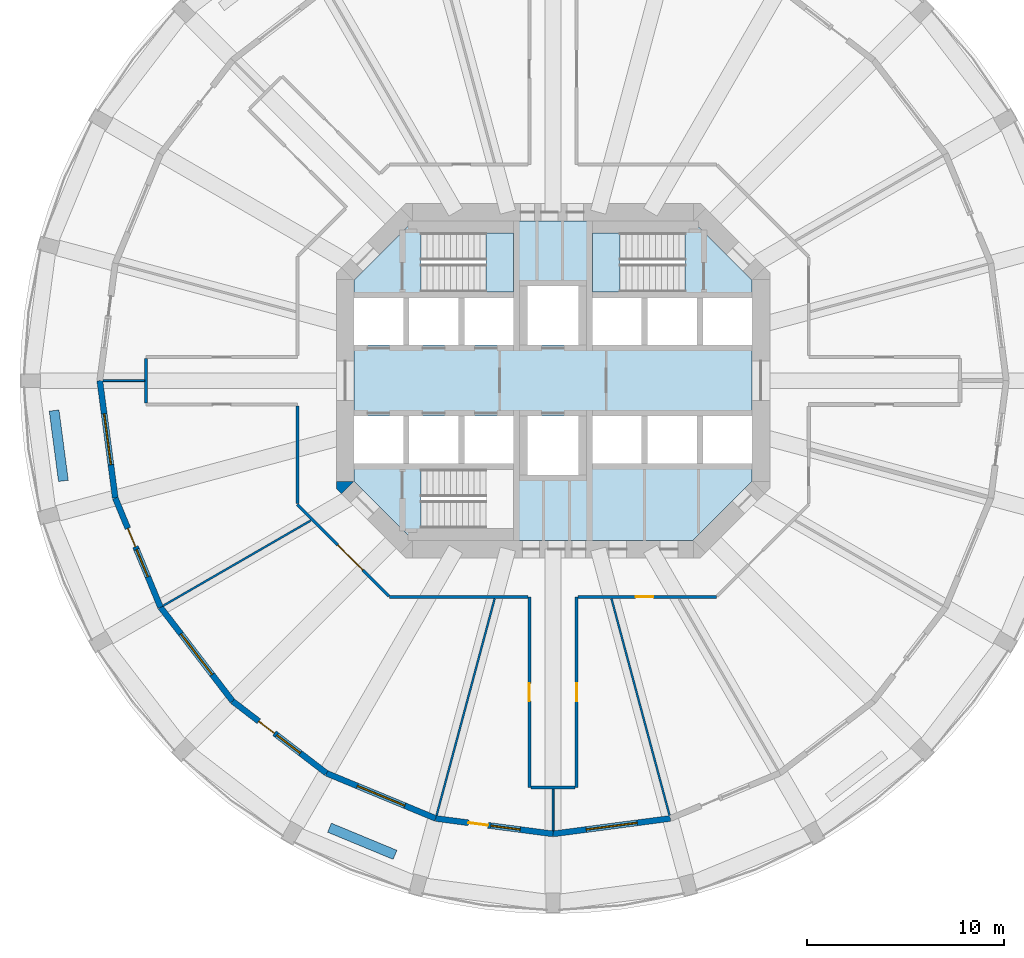
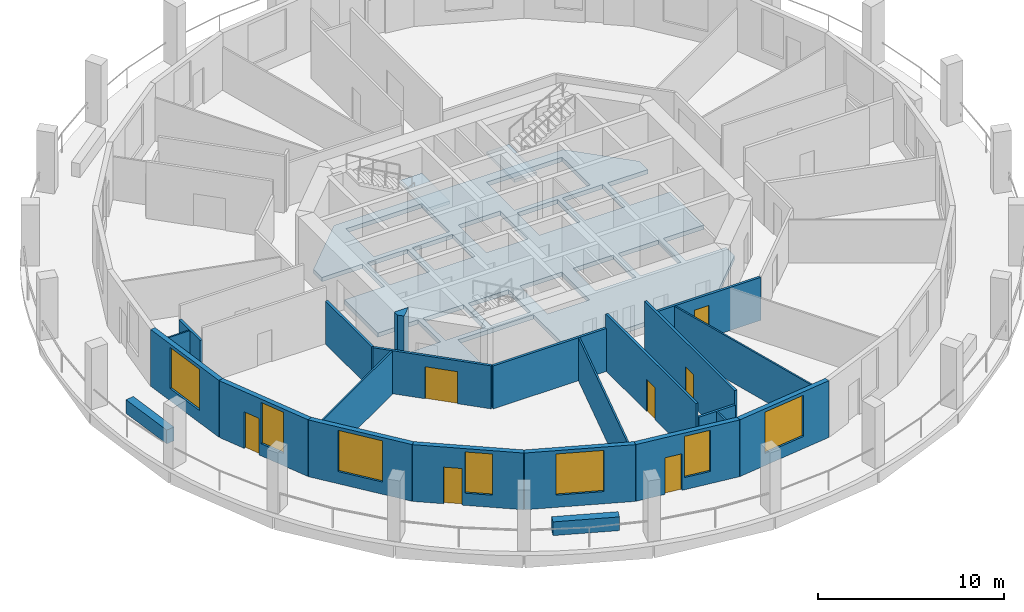
# One storey, part 2 of 9: 23 walls, 7 doors, 7 windows, 3 slabs, 14 openings, 2 elements without a shape of their own.
"""IFC4 building model written with IfcOpenShell, lengths in metres."""

from ifc_helpers import new_model, si_unit, direction, frame, frame_2d, origin, place, context, subcontext, project, spatial, polyline, rectangle, outline, extrude, material, layer, layer_set, type_object, element, fill, aggregate, save


model = new_model("IFC4")

# Units and contexts
model_context = context("Model", 3, precision=1e-05, world=origin(), true_north=direction((0.0, 1.0)))
body_context = subcontext(model_context, "Body", "Model", "MODEL_VIEW")
ifc_project = project(units=[si_unit("LENGTHUNIT", "METRE"), si_unit("AREAUNIT", "SQUARE_METRE"), si_unit("VOLUMEUNIT", "CUBIC_METRE"), si_unit("PLANEANGLEUNIT", "RADIAN"), si_unit("MASSUNIT", "GRAM", prefix="KILO")], contexts=[model_context])

# Site, building, storey
site_placement = place(None, origin())
site = spatial("IfcSite", under=ifc_project, at=site_placement, CompositionType="ELEMENT")
building_placement = place(site_placement, origin())
building = spatial("IfcBuilding", under=site, at=building_placement, Name="Torre Triforio", CompositionType="ELEMENT")
storey_placement = place(building_placement, frame((0.0, 0.0, 71.0)))
storey = spatial("IfcBuildingStorey", under=building, at=storey_placement, Name="L15", CompositionType="ELEMENT", Elevation=71.0)

# Slab
ifc_material_1 = material(Name="Concrete C60", Category="concrete")
ifc_layer_1 = layer(ifc_material_1, 0.280029296875)
ifc_layer_set_1 = layer_set([ifc_layer_1], Name="Concrete C60")
slab_type_1 = type_object("IfcSlabType", Name="Core floor slab 280 mm C60 REI 120", PredefinedType="FLOOR", material=ifc_layer_set_1)
slab_1_placement = place(storey_placement, frame((0.0, 0.0, -0.280029296875)))
element("IfcSlab", 1, at=slab_1_placement, inside=storey, type_object=slab_type_1, Name="Core floor slab", PredefinedType="FLOOR", context=body_context, shape_type="SweptSolid", body=[
    extrude(outline(polyline([(10.10009765625, -5.10009765625), (7.10009765625, -8.10009765625), (-7.10009765625, -8.10009765625), (-10.10009765625, -5.10009765625), (-10.10009765625, -4.199951171875), (-7.60009765625, -4.199951171875), (-7.60009765625, -1.800048828125), (-10.10009765625, -1.800048828125), (-10.10009765625, 1.800048828125), (-7.60009765625, 1.800048828125), (-7.60009765625, 4.199951171875), (-10.10009765625, 4.199951171875), (-10.10009765625, 5.10009765625), (-7.10009765625, 8.10009765625), (7.10009765625, 8.10009765625), (10.10009765625, 5.10009765625), (10.10009765625, 4.199951171875), (7.60009765625, 4.199951171875), (7.60009765625, 1.800048828125), (10.10009765625, 1.800048828125), (10.10009765625, -1.800048828125), (7.60009765625, -1.800048828125), (7.60009765625, -4.199951171875), (10.10009765625, -4.199951171875), (10.10009765625, -5.10009765625)]), holes=[polyline([(-2.0, -4.5), (-6.696044921875, -4.5), (-6.696044921875, -7.5), (-2.0, -7.5), (-2.0, -4.5)]), polyline([(-4.800048828125, -1.800048828125), (-7.300048828125, -1.800048828125), (-7.300048828125, -4.199951171875), (-4.800048828125, -4.199951171875), (-4.800048828125, -1.800048828125)]), polyline([(-2.0, -1.800048828125), (-4.5, -1.800048828125), (-4.5, -4.199951171875), (-2.0, -4.199951171875), (-2.0, -1.800048828125)]), polyline([(-4.800048828125, 4.199951171875), (-7.300048828125, 4.199951171875), (-7.300048828125, 1.800048828125), (-4.800048828125, 1.800048828125), (-4.800048828125, 4.199951171875)]), polyline([(-2.0, 4.199951171875), (-4.5, 4.199951171875), (-4.5, 1.800048828125), (-2.0, 1.800048828125), (-2.0, 4.199951171875)]), polyline([(1.300048828125, 4.800048828125), (-1.300048828125, 4.800048828125), (-1.300048828125, 1.800048828125), (1.300048828125, 1.800048828125), (1.300048828125, 4.800048828125)]), polyline([(-2.0, 7.5), (-6.696044921875, 7.5), (-6.696044921875, 4.5), (-2.0, 4.5), (-2.0, 7.5)]), polyline([(1.300048828125, -1.800048828125), (-1.300048828125, -1.800048828125), (-1.300048828125, -4.800048828125), (1.300048828125, -4.800048828125), (1.300048828125, -1.800048828125)]), polyline([(4.5, -1.800048828125), (2.0, -1.800048828125), (2.0, -4.199951171875), (4.5, -4.199951171875), (4.5, -1.800048828125)]), polyline([(7.300048828125, -1.800048828125), (4.800048828125, -1.800048828125), (4.800048828125, -4.199951171875), (7.300048828125, -4.199951171875), (7.300048828125, -1.800048828125)]), polyline([(4.5, 4.199951171875), (2.0, 4.199951171875), (2.0, 1.800048828125), (4.5, 1.800048828125), (4.5, 4.199951171875)]), polyline([(7.300048828125, 4.199951171875), (4.800048828125, 4.199951171875), (4.800048828125, 1.800048828125), (7.300048828125, 1.800048828125), (7.300048828125, 4.199951171875)]), polyline([(6.696044921875, 4.5), (6.696044921875, 7.5), (2.0, 7.5), (2.0, 4.5), (6.696044921875, 4.5)])]), origin(), (0.0, 0.0, 1.0), 0.280029296875),
])

# Stair, slab
ifc_material_2 = material(Name="Concrete C40", Category="concrete")
stair_type = type_object("IfcStairType", Name="STAIR HALF-TURN", PredefinedType="HALF_TURN_STAIR", material=ifc_material_2)
stair_1_placement = place(storey_placement, origin())
stair_1 = element("IfcStair", 2, at=stair_1_placement, inside=storey, type_object=stair_type, Name="Exit stair 1", PredefinedType="HALF_TURN_STAIR")
ifc_layer_2 = layer(ifc_material_2, 0.199951171875)
ifc_layer_set_2 = layer_set([ifc_layer_2], Name="Concrete C40")
slab_type_2 = type_object("IfcSlabType", Name="STAIR LANDING 200", PredefinedType="LANDING", material=ifc_layer_set_2)
slab_2_placement = place(storey_placement, frame((0.0, 0.0, 1.800048828125)))
slab_2 = element("IfcSlab", 3, at=slab_2_placement, type_object=slab_type_2, Name="ST1 landing 1", PredefinedType="LANDING", context=body_context, shape_type="SweptSolid", body=[
    extrude(outline(polyline([(-2.0, 4.5), (-2.0, 7.5), (-3.39990234375, 7.5), (-3.39990234375, 4.5), (-2.0, 4.5)])), origin(), (0.0, 0.0, 1.0), 0.199951171875),
])
aggregate(stair_1, [slab_2])

stair_2_placement = place(storey_placement, origin())
stair_2 = element("IfcStair", 4, at=stair_2_placement, inside=storey, type_object=stair_type, Name="Exit stair 2", PredefinedType="HALF_TURN_STAIR")
slab_3_placement = place(storey_placement, frame((0.0, 0.0, 1.800048828125)))
slab_3 = element("IfcSlab", 5, at=slab_3_placement, type_object=slab_type_2, Name="ST2 landing 1", PredefinedType="LANDING", context=body_context, shape_type="SweptSolid", body=[
    extrude(outline(polyline([(3.39990234375, 4.5), (3.39990234375, 7.5), (2.0, 7.5), (2.0, 4.5), (3.39990234375, 4.5)])), origin(), (0.0, 0.0, 1.0), 0.199951171875),
])
aggregate(stair_2, [slab_3])

# Wall
ifc_layer_3 = layer(ifc_material_1, 0.89990234375)
ifc_layer_set_3 = layer_set([ifc_layer_3], Name="Concrete C60")
wall_type_1 = type_object("IfcWallType", Name="Core wall 900 mm C60 EI 120", PredefinedType="SHEAR", material=ifc_layer_set_3)
wall_1_placement = place(storey_placement, frame((0.0, 0.0, -0.280029296875)))
element("IfcWall", 6, at=wall_1_placement, inside=storey, type_object=wall_type_1, Name="Core wall", PredefinedType="SHEAR", context=body_context, shape_type="SweptSolid", body=[
    extrude(outline(polyline([(-11.0, -5.472900390625), (-11.0, -5.1298828125), (-10.1298828125, -5.1298828125), (-10.736328125, -5.736328125), (-11.0, -5.472900390625)])), origin(), (0.0, 0.0, 1.0), 4.0),
])

# Wall, opening, door
ifc_material_3 = material(Name="Plasterboard on metal studs")
ifc_layer_4 = layer(ifc_material_3, 0.14990234375)
ifc_layer_set_4 = layer_set([ifc_layer_4], Name="Plasterboard on metal studs")
wall_type_2 = type_object("IfcWallType", Name="Corridor and tenancy wall 150 mm EI 60", PredefinedType="PARTITIONING", material=ifc_layer_set_4)
wall_2_placement = place(storey_placement, frame((-8.327880859375, -10.93798828125, 0.0), z_axis=(0.0, 0.0, 1.0), x_axis=(-0.707125355289, 0.707088206597, 0.0)))
wall_2 = element("IfcWall", 7, at=wall_2_placement, inside=storey, type_object=wall_type_2, Name="Partition 1", PredefinedType="PARTITIONING", context=body_context, shape_type="SweptSolid", body=[
    extrude(rectangle(XDim=6.572021484375, YDim=0.14990234375, at=frame_2d((3.2861328125, 0.0))), origin(), (0.0, 0.0, 1.0), 2.820068359375),
])
opening_1_placement = place(wall_2_placement, frame((1.873779296875, 0.0, 0.0)))
opening_1 = element("IfcOpeningElement", 8, at=opening_1_placement, cuts=wall_2, Name="Opening N5-08", PredefinedType="OPENING", context=body_context, shape_type="SweptSolid", body=[
    extrude(rectangle(XDim=1.800048828125, YDim=2.10009765625, at=frame_2d((0.89990234375, 1.050048828125))), frame((0.0, 0.0849609375, 0.0), z_axis=(0.0, -1.0, 0.0), x_axis=(1.0, 0.0, 0.0)), (0.0, 0.0, 1.0), 0.169921875),
])
ifc_material_4 = material(Name="Timber", Category="wood")
door_type_1 = type_object("IfcDoorType", Name="Door 1800 x 2100 double leaf EI 30", OperationType="DOUBLE_DOOR_SINGLE_SWING", PredefinedType="DOOR", material=ifc_material_4)
door_1_placement = place(opening_1_placement, origin())
door_1 = element("IfcDoor", 9, at=door_1_placement, inside=storey, type_object=door_type_1, Name="Door N5-08", OperationType="DOUBLE_DOOR_SINGLE_SWING", OverallHeight=2.10009765625, OverallWidth=1.800048828125, PredefinedType="DOOR", context=body_context, shape_type="SweptSolid", body=[
    extrude(rectangle(XDim=1.800048828125, YDim=2.10009765625, at=frame_2d((0.89990234375, 1.050048828125))), frame((0.0, 0.02490234375, 0.0), z_axis=(0.0, -1.0, 0.0), x_axis=(1.0, 0.0, 0.0)), (0.0, 0.0, 1.0), 0.050048828125),
])
fill(opening_1, door_1)

# Walls
wall_3_placement = place(storey_placement, frame((-12.97509765625, -6.23828125, 0.0), z_axis=(0.0, 0.0, 1.0), x_axis=(0.0, 1.0, 0.0)))
element("IfcWall", 10, at=wall_3_placement, inside=storey, type_object=wall_type_2, Name="Partition 2", PredefinedType="PARTITIONING", context=body_context, shape_type="SweptSolid", body=[
    extrude(rectangle(XDim=4.96337890625, YDim=0.14990234375, at=frame_2d((2.481689453125, 0.0))), origin(), (0.0, 0.0, 1.0), 2.820068359375),
])
wall_4_placement = place(storey_placement, frame((-20.648681640625, -1.125, 0.0), z_axis=(0.0, 0.0, 1.0), x_axis=(0.0, 1.0, 0.0)))
element("IfcWall", 11, at=wall_4_placement, inside=storey, type_object=wall_type_2, Name="Partition 4", PredefinedType="PARTITIONING", context=body_context, shape_type="SweptSolid", body=[
    extrude(rectangle(XDim=2.25, YDim=0.14990234375, at=frame_2d((1.125, 0.0))), origin(), (0.0, 0.0, 1.0), 2.820068359375),
])

# Wall, opening, door
wall_5_placement = place(storey_placement, frame((8.291015625, -10.97509765625, 0.0), z_axis=(0.0, 0.0, 1.0), x_axis=(-1.0, 0.0, 0.0)))
wall_5 = element("IfcWall", 12, at=wall_5_placement, inside=storey, type_object=wall_type_2, Name="Partition 26", PredefinedType="PARTITIONING", context=body_context, shape_type="SweptSolid", body=[
    extrude(rectangle(XDim=7.01611328125, YDim=0.14990234375, at=frame_2d((3.508056640625, 0.0))), origin(), (0.0, 0.0, 1.0), 2.820068359375),
])
opening_2_placement = place(wall_5_placement, frame((3.198486328125, 0.0, 0.0)))
opening_2 = element("IfcOpeningElement", 13, at=opening_2_placement, cuts=wall_5, Name="Opening N5-11", PredefinedType="OPENING", context=body_context, shape_type="SweptSolid", body=[
    extrude(rectangle(XDim=0.89990234375, YDim=2.10009765625, at=frame_2d((0.449951171875, 1.050048828125))), frame((0.0, 0.0849609375, 0.0), z_axis=(0.0, -1.0, 0.0), x_axis=(1.0, 0.0, 0.0)), (0.0, 0.0, 1.0), 0.169921875),
])
door_type_2 = type_object("IfcDoorType", Name="Door 900 x 2100 single leaf EI 30", OperationType="NOTDEFINED", PredefinedType="DOOR", material=ifc_material_4)
door_2_placement = place(opening_2_placement, origin())
door_2 = element("IfcDoor", 14, at=door_2_placement, inside=storey, type_object=door_type_2, Name="Door N5-11", OperationType="SINGLE_SWING_LEFT", OverallHeight=2.10009765625, OverallWidth=0.89990234375, PredefinedType="DOOR", context=body_context, shape_type="SweptSolid", body=[
    extrude(rectangle(XDim=0.89990234375, YDim=2.10009765625, at=frame_2d((0.449951171875, 1.050048828125))), frame((0.0, 0.02490234375, 0.0), z_axis=(0.0, -1.0, 0.0), x_axis=(1.0, 0.0, 0.0)), (0.0, 0.0, 1.0), 0.050048828125),
])
fill(opening_2, door_2)

wall_6_placement = place(storey_placement, frame((1.199951171875, -10.97509765625, 0.0), z_axis=(0.0, 0.0, 1.0), x_axis=(0.0, -1.0, 0.0)))
wall_6 = element("IfcWall", 15, at=wall_6_placement, inside=storey, type_object=wall_type_2, Name="Partition 27", PredefinedType="PARTITIONING", context=body_context, shape_type="SweptSolid", body=[
    extrude(rectangle(XDim=9.673583984375, YDim=0.14990234375, at=frame_2d((4.8369140625, 0.0))), origin(), (0.0, 0.0, 1.0), 3.719970703125),
])
opening_3_placement = place(wall_6_placement, frame((4.386962890625, 0.0, 0.0)))
opening_3 = element("IfcOpeningElement", 16, at=opening_3_placement, cuts=wall_6, Name="Opening N5-10", PredefinedType="OPENING", context=body_context, shape_type="SweptSolid", body=[
    extrude(rectangle(XDim=0.89990234375, YDim=2.10009765625, at=frame_2d((0.449951171875, 1.050048828125))), frame((0.0, 0.0849609375, 0.0), z_axis=(0.0, -1.0, 0.0), x_axis=(1.0, 0.0, 0.0)), (0.0, 0.0, 1.0), 0.169921875),
])
door_3_placement = place(opening_3_placement, origin())
door_3 = element("IfcDoor", 17, at=door_3_placement, inside=storey, type_object=door_type_2, Name="Door N5-10", OperationType="SINGLE_SWING_RIGHT", OverallHeight=2.10009765625, OverallWidth=0.89990234375, PredefinedType="DOOR", context=body_context, shape_type="SweptSolid", body=[
    extrude(rectangle(XDim=0.89990234375, YDim=2.10009765625, at=frame_2d((0.449951171875, 1.050048828125))), frame((0.0, 0.02490234375, 0.0), z_axis=(0.0, -1.0, 0.0), x_axis=(1.0, 0.0, 0.0)), (0.0, 0.0, 1.0), 0.050048828125),
])
fill(opening_3, door_3)

# Wall
wall_7_placement = place(storey_placement, frame((1.125, -20.648681640625, 0.0), z_axis=(0.0, 0.0, 1.0), x_axis=(-1.0, 0.0, 0.0)))
element("IfcWall", 18, at=wall_7_placement, inside=storey, type_object=wall_type_2, Name="Partition 28", PredefinedType="PARTITIONING", context=body_context, shape_type="SweptSolid", body=[
    extrude(rectangle(XDim=2.25, YDim=0.14990234375, at=frame_2d((1.125, 0.0))), origin(), (0.0, 0.0, 1.0), 2.820068359375),
])

# Wall, opening, door
wall_8_placement = place(storey_placement, frame((-1.199951171875, -20.648681640625, 0.0), z_axis=(0.0, 0.0, 1.0), x_axis=(0.0, 1.0, 0.0)))
wall_8 = element("IfcWall", 19, at=wall_8_placement, inside=storey, type_object=wall_type_2, Name="Partition 29", PredefinedType="PARTITIONING", context=body_context, shape_type="SweptSolid", body=[
    extrude(rectangle(XDim=9.673583984375, YDim=0.14990234375, at=frame_2d((4.8369140625, 0.0))), origin(), (0.0, 0.0, 1.0), 3.719970703125),
])
opening_4_placement = place(wall_8_placement, frame((4.386962890625, 0.0, 0.0)))
opening_4 = element("IfcOpeningElement", 20, at=opening_4_placement, cuts=wall_8, Name="Opening N5-09", PredefinedType="OPENING", context=body_context, shape_type="SweptSolid", body=[
    extrude(rectangle(XDim=0.89990234375, YDim=2.10009765625, at=frame_2d((0.449951171875, 1.050048828125))), frame((0.0, 0.0849609375, 0.0), z_axis=(0.0, -1.0, 0.0), x_axis=(1.0, 0.0, 0.0)), (0.0, 0.0, 1.0), 0.169921875),
])
door_4_placement = place(opening_4_placement, origin())
door_4 = element("IfcDoor", 21, at=door_4_placement, inside=storey, type_object=door_type_2, Name="Door N5-09", OperationType="SINGLE_SWING_RIGHT", OverallHeight=2.10009765625, OverallWidth=0.89990234375, PredefinedType="DOOR", context=body_context, shape_type="SweptSolid", body=[
    extrude(rectangle(XDim=0.89990234375, YDim=2.10009765625, at=frame_2d((0.449951171875, 1.050048828125))), frame((0.0, 0.02490234375, 0.0), z_axis=(0.0, -1.0, 0.0), x_axis=(1.0, 0.0, 0.0)), (0.0, 0.0, 1.0), 0.050048828125),
])
fill(opening_4, door_4)

# Walls
wall_9_placement = place(storey_placement, frame((-1.27490234375, -10.97509765625, 0.0), z_axis=(0.0, 0.0, 1.0), x_axis=(-1.0, 0.0, 0.0)))
element("IfcWall", 22, at=wall_9_placement, inside=storey, type_object=wall_type_2, Name="Partition 30", PredefinedType="PARTITIONING", context=body_context, shape_type="SweptSolid", body=[
    extrude(rectangle(XDim=7.01611328125, YDim=0.14990234375, at=frame_2d((3.508056640625, 0.0))), origin(), (0.0, 0.0, 1.0), 2.820068359375),
])
ifc_layer_5 = layer(ifc_material_3, 0.10009765625)
ifc_layer_set_5 = layer_set([ifc_layer_5], Name="Plasterboard on metal studs")
wall_type_3 = type_object("IfcWallType", Name="Partition 100 mm board on metal studs", PredefinedType="PARTITIONING", material=ifc_layer_set_5)
wall_10_placement = place(storey_placement, frame((-20.7236328125, 0.0, 0.0), z_axis=(0.0, 0.0, 1.0), x_axis=(-1.0, 0.0, 0.0)))
element("IfcWall", 23, at=wall_10_placement, inside=storey, type_object=wall_type_3, Name="Partition 39", PredefinedType="PARTITIONING", context=body_context, shape_type="SweptSolid", body=[
    extrude(rectangle(XDim=2.113037109375, YDim=0.10009765625, at=frame_2d((1.056640625, 0.0))), origin(), (0.0, 0.0, 1.0), 2.820068359375),
])
wall_11_placement = place(storey_placement, frame((-12.294189453125, -7.097900390625, 0.0), z_axis=(0.0, 0.0, 1.0), x_axis=(-0.866010547425, -0.500025731086, 0.0)))
element("IfcWall", 24, at=wall_11_placement, inside=storey, type_object=wall_type_3, Name="Partition 40", PredefinedType="PARTITIONING", context=body_context, shape_type="SweptSolid", body=[
    extrude(rectangle(XDim=8.640625, YDim=0.10009765625, at=frame_2d((4.3203125, 0.0))), origin(), (0.0, 0.0, 1.0), 2.820068359375),
])
wall_12_placement = place(storey_placement, frame((-2.964599609375, -11.064208984375, 0.0), z_axis=(0.0, 0.0, 1.0), x_axis=(-0.258827930947, -0.965923445291, 0.0)))
element("IfcWall", 25, at=wall_12_placement, inside=storey, type_object=wall_type_3, Name="Partition 41", PredefinedType="PARTITIONING", context=body_context, shape_type="SweptSolid", body=[
    extrude(rectangle(XDim=11.38232421875, YDim=0.10009765625, at=frame_2d((5.691162109375, 0.0))), origin(), (0.0, 0.0, 1.0), 2.820068359375),
])
wall_13_placement = place(storey_placement, frame((0.0, -20.7236328125, 0.0), z_axis=(0.0, 0.0, 1.0), x_axis=(0.0, -1.0, 0.0)))
element("IfcWall", 26, at=wall_13_placement, inside=storey, type_object=wall_type_3, Name="Partition 42", PredefinedType="PARTITIONING", context=body_context, shape_type="SweptSolid", body=[
    extrude(rectangle(XDim=2.113037109375, YDim=0.10009765625, at=frame_2d((1.056640625, 0.0))), origin(), (0.0, 0.0, 1.0), 2.820068359375),
])
wall_14_placement = place(storey_placement, frame((2.964599609375, -11.064208984375, 0.0), z_axis=(0.0, 0.0, 1.0), x_axis=(0.258827930947, -0.965923445291, 0.0)))
element("IfcWall", 27, at=wall_14_placement, inside=storey, type_object=wall_type_3, Name="Partition 43", PredefinedType="PARTITIONING", context=body_context, shape_type="SweptSolid", body=[
    extrude(rectangle(XDim=11.38232421875, YDim=0.10009765625, at=frame_2d((5.691162109375, 0.0))), origin(), (0.0, 0.0, 1.0), 2.820068359375),
])
ifc_material_5 = material(Name="Limestone cladding", Category="masonry")
ifc_layer_6 = layer(ifc_material_5, 0.10009765625)
ifc_layer_7 = layer(ifc_material_2, 0.39990234375)
ifc_layer_set_6 = layer_set([ifc_layer_6, ifc_layer_7], Name="Limestone cladding / Concrete C40")
wall_type_4 = type_object("IfcWallType", Name="Planter wall 500", PredefinedType="PARAPET", material=ifc_layer_set_6)
for number, where, z_axis, x_axis, name in (
    (28, (-25.318603515625, -1.517578125, 0.0), (0.0, 0.0, 1.0), (0.130542222659, -0.991442750795, 0.0), "Planter L15 bay 13"),
    (29, (-11.344970703125, -22.685302734375, 0.0), (0.0, 0.0, 1.0), (0.923885420167, -0.382669217998, 0.0), "Planter L15 bay 17"),
):
    element("IfcWall", number, at=place(storey_placement, frame(where, z_axis=z_axis, x_axis=x_axis)), inside=storey, type_object=wall_type_4, Name=name, PredefinedType="PARAPET", context=body_context, shape_type="SweptSolid", body=[
        extrude(rectangle(XDim=3.60009765625, YDim=0.5, at=frame_2d((1.800048828125, 0.0))), origin(), (0.0, 0.0, 1.0), 0.89990234375),
    ])

# Wall, opening, window
ifc_layer_8 = layer(ifc_material_5, 0.10009765625)
ifc_layer_9 = layer(ifc_material_2, 0.199951171875)
ifc_layer_set_7 = layer_set([ifc_layer_8, ifc_layer_9], Name="Limestone cladding / Concrete C40")
wall_type_5 = type_object("IfcWallType", Name="Stone-faced composite wall 300", PredefinedType="STANDARD", material=ifc_layer_set_7)
wall_15_placement = place(storey_placement, frame((-23.0, 0.0, 0.0), z_axis=(0.0, 0.0, 1.0), x_axis=(0.130522880875, -0.991445297315, 0.0)))
wall_15 = element("IfcWall", 30, at=wall_15_placement, inside=storey, type_object=wall_type_5, Name="External wall L15 bay 13", PredefinedType="STANDARD", context=body_context, shape_type="SweptSolid", body=[
    extrude(rectangle(XDim=6.004150390625, YDim=0.300048828125, at=frame_2d((3.001953125, 0.0))), origin(), (0.0, 0.0, 1.0), 3.719970703125),
])
opening_5_placement = place(wall_15_placement, frame((1.7021484375, 0.0, 0.800048828125)))
opening_5 = element("IfcOpeningElement", 31, at=opening_5_placement, cuts=wall_15, Name="Opening N5-W13", PredefinedType="OPENING", context=body_context, shape_type="SweptSolid", body=[
    extrude(rectangle(XDim=2.60009765625, YDim=2.699951171875, at=frame_2d((1.300048828125, 1.35009765625))), frame((0.0, 0.159912109375, 0.0), z_axis=(0.0, -1.0, 0.0), x_axis=(1.0, 0.0, 0.0)), (0.0, 0.0, 1.0), 0.320068359375),
])
ifc_material_6 = material(Name="Aluminium frame with clear double glazing", Category="aluminium")
window_type_1 = type_object("IfcWindowType", Name="Punched window 2600 x 2700", PartitioningType="DOUBLE_PANEL_VERTICAL", PredefinedType="WINDOW", material=ifc_material_6)
window_1_placement = place(opening_5_placement, origin())
window_1 = element("IfcWindow", 32, at=window_1_placement, inside=storey, type_object=window_type_1, Name="Window EWN2 L15 bay 13", OverallHeight=2.699951171875, OverallWidth=2.60009765625, PartitioningType="SINGLE_PANEL", PredefinedType="WINDOW", context=body_context, shape_type="SweptSolid", body=[
    extrude(rectangle(XDim=2.60009765625, YDim=2.699951171875, at=frame_2d((1.300048828125, 1.35009765625))), frame((0.0, 0.030029296875, 0.0), z_axis=(0.0, -1.0, 0.0), x_axis=(1.0, 0.0, 0.0)), (0.0, 0.0, 1.0), 0.06005859375),
])
fill(opening_5, window_1)

# Wall, openings, door, window
wall_16_placement = place(storey_placement, frame((-22.21630859375, -5.952880859375, 0.0), z_axis=(0.0, 0.0, 1.0), x_axis=(0.382671411433, -0.923884511653, 0.0)))
wall_16 = element("IfcWall", 33, at=wall_16_placement, inside=storey, type_object=wall_type_5, Name="External wall L15 bay 14", PredefinedType="STANDARD", context=body_context, shape_type="SweptSolid", body=[
    extrude(rectangle(XDim=6.004150390625, YDim=0.300048828125, at=frame_2d((3.001953125, 0.0))), origin(), (0.0, 0.0, 1.0), 3.719970703125),
])
opening_6_placement = place(wall_16_placement, frame((1.677001953125, 0.0, 0.0)))
opening_6 = element("IfcOpeningElement", 34, at=opening_6_placement, cuts=wall_16, Name="Opening N5-D14", PredefinedType="OPENING", context=body_context, shape_type="SweptSolid", body=[
    extrude(rectangle(XDim=1.0, YDim=2.39990234375, at=frame_2d((0.5, 1.199951171875))), frame((0.0, 0.159912109375, 0.0), z_axis=(0.0, -1.0, 0.0), x_axis=(1.0, 0.0, 0.0)), (0.0, 0.0, 1.0), 0.320068359375),
])
opening_7_placement = place(wall_16_placement, frame((2.8271484375, 0.0, 0.800048828125)))
opening_7 = element("IfcOpeningElement", 35, at=opening_7_placement, cuts=wall_16, Name="Opening N5-W14A", PredefinedType="OPENING", context=body_context, shape_type="SweptSolid", body=[
    extrude(rectangle(XDim=1.5, YDim=2.699951171875, at=frame_2d((0.75, 1.35009765625))), frame((0.0, 0.159912109375, 0.0), z_axis=(0.0, -1.0, 0.0), x_axis=(1.0, 0.0, 0.0)), (0.0, 0.0, 1.0), 0.320068359375),
])
door_type_3 = type_object("IfcDoorType", Name="Loggia door 1000 x 2400", OperationType="NOTDEFINED", PredefinedType="DOOR", material=ifc_material_6)
door_5_placement = place(opening_6_placement, origin())
door_5 = element("IfcDoor", 36, at=door_5_placement, inside=storey, type_object=door_type_3, Name="Loggia door L15 bay 14", OperationType="SINGLE_SWING_LEFT", OverallHeight=2.39990234375, OverallWidth=1.0, PredefinedType="DOOR", context=body_context, shape_type="SweptSolid", body=[
    extrude(rectangle(XDim=1.0, YDim=2.39990234375, at=frame_2d((0.5, 1.199951171875))), frame((0.0, 0.02490234375, 0.0), z_axis=(0.0, -1.0, 0.0), x_axis=(1.0, 0.0, 0.0)), (0.0, 0.0, 1.0), 0.050048828125),
])
fill(opening_6, door_5)
window_type_2 = type_object("IfcWindowType", Name="Side window 1500 x 2700", PartitioningType="SINGLE_PANEL", PredefinedType="WINDOW", material=ifc_material_6)
window_2_placement = place(opening_7_placement, origin())
window_2 = element("IfcWindow", 37, at=window_2_placement, inside=storey, type_object=window_type_2, Name="Side window EWN12 L15 bay 14", OverallHeight=2.699951171875, OverallWidth=1.5, PartitioningType="SINGLE_PANEL", PredefinedType="WINDOW", context=body_context, shape_type="SweptSolid", body=[
    extrude(rectangle(XDim=1.5, YDim=2.699951171875, at=frame_2d((0.75, 1.35009765625))), frame((0.0, 0.030029296875, 0.0), z_axis=(0.0, -1.0, 0.0), x_axis=(1.0, 0.0, 0.0)), (0.0, 0.0, 1.0), 0.06005859375),
])
fill(opening_7, window_2)

# Wall, opening, window
wall_17_placement = place(storey_placement, frame((-19.918701171875, -11.5, 0.0), z_axis=(0.0, 0.0, 1.0), x_axis=(0.608778912074, -0.793339924758, 0.0)))
wall_17 = element("IfcWall", 38, at=wall_17_placement, inside=storey, type_object=wall_type_5, Name="External wall L15 bay 15", PredefinedType="STANDARD", context=body_context, shape_type="SweptSolid", body=[
    extrude(rectangle(XDim=6.004150390625, YDim=0.300048828125, at=frame_2d((3.001953125, 0.0))), origin(), (0.0, 0.0, 1.0), 3.719970703125),
])
opening_8_placement = place(wall_17_placement, frame((1.7021484375, 0.0, 0.800048828125)))
opening_8 = element("IfcOpeningElement", 39, at=opening_8_placement, cuts=wall_17, Name="Opening N5-W15", PredefinedType="OPENING", context=body_context, shape_type="SweptSolid", body=[
    extrude(rectangle(XDim=2.60009765625, YDim=2.699951171875, at=frame_2d((1.300048828125, 1.35009765625))), frame((0.0, 0.159912109375, 0.0), z_axis=(0.0, -1.0, 0.0), x_axis=(1.0, 0.0, 0.0)), (0.0, 0.0, 1.0), 0.320068359375),
])
window_3_placement = place(opening_8_placement, origin())
window_3 = element("IfcWindow", 40, at=window_3_placement, inside=storey, type_object=window_type_1, Name="Window EWN2 L15 bay 15", OverallHeight=2.699951171875, OverallWidth=2.60009765625, PartitioningType="SINGLE_PANEL", PredefinedType="WINDOW", context=body_context, shape_type="SweptSolid", body=[
    extrude(rectangle(XDim=2.60009765625, YDim=2.699951171875, at=frame_2d((1.300048828125, 1.35009765625))), frame((0.0, 0.030029296875, 0.0), z_axis=(0.0, -1.0, 0.0), x_axis=(1.0, 0.0, 0.0)), (0.0, 0.0, 1.0), 0.06005859375),
])
fill(opening_8, window_3)

# Wall, openings, door, window
wall_18_placement = place(storey_placement, frame((-16.263427734375, -16.263427734375, 0.0), z_axis=(0.0, 0.0, 1.0), x_axis=(0.793339924758, -0.608778912074, 0.0)))
wall_18 = element("IfcWall", 41, at=wall_18_placement, inside=storey, type_object=wall_type_5, Name="External wall L15 bay 16", PredefinedType="STANDARD", context=body_context, shape_type="SweptSolid", body=[
    extrude(rectangle(XDim=6.004150390625, YDim=0.300048828125, at=frame_2d((3.001953125, 0.0))), origin(), (0.0, 0.0, 1.0), 3.719970703125),
])
opening_9_placement = place(wall_18_placement, frame((1.677001953125, 0.0, 0.0)))
opening_9 = element("IfcOpeningElement", 42, at=opening_9_placement, cuts=wall_18, Name="Opening N5-D16", PredefinedType="OPENING", context=body_context, shape_type="SweptSolid", body=[
    extrude(rectangle(XDim=1.0, YDim=2.39990234375, at=frame_2d((0.5, 1.199951171875))), frame((0.0, 0.159912109375, 0.0), z_axis=(0.0, -1.0, 0.0), x_axis=(1.0, 0.0, 0.0)), (0.0, 0.0, 1.0), 0.320068359375),
])
opening_10_placement = place(wall_18_placement, frame((2.8271484375, 0.0, 0.800048828125)))
opening_10 = element("IfcOpeningElement", 43, at=opening_10_placement, cuts=wall_18, Name="Opening N5-W16A", PredefinedType="OPENING", context=body_context, shape_type="SweptSolid", body=[
    extrude(rectangle(XDim=1.5, YDim=2.699951171875, at=frame_2d((0.75, 1.35009765625))), frame((0.0, 0.159912109375, 0.0), z_axis=(0.0, -1.0, 0.0), x_axis=(1.0, 0.0, 0.0)), (0.0, 0.0, 1.0), 0.320068359375),
])
door_6_placement = place(opening_9_placement, origin())
door_6 = element("IfcDoor", 44, at=door_6_placement, inside=storey, type_object=door_type_3, Name="Loggia door L15 bay 16", OperationType="SINGLE_SWING_LEFT", OverallHeight=2.39990234375, OverallWidth=1.0, PredefinedType="DOOR", context=body_context, shape_type="SweptSolid", body=[
    extrude(rectangle(XDim=1.0, YDim=2.39990234375, at=frame_2d((0.5, 1.199951171875))), frame((0.0, 0.02490234375, 0.0), z_axis=(0.0, -1.0, 0.0), x_axis=(1.0, 0.0, 0.0)), (0.0, 0.0, 1.0), 0.050048828125),
])
fill(opening_9, door_6)
window_4_placement = place(opening_10_placement, origin())
window_4 = element("IfcWindow", 45, at=window_4_placement, inside=storey, type_object=window_type_2, Name="Side window EWN12 L15 bay 16", OverallHeight=2.699951171875, OverallWidth=1.5, PartitioningType="SINGLE_PANEL", PredefinedType="WINDOW", context=body_context, shape_type="SweptSolid", body=[
    extrude(rectangle(XDim=1.5, YDim=2.699951171875, at=frame_2d((0.75, 1.35009765625))), frame((0.0, 0.030029296875, 0.0), z_axis=(0.0, -1.0, 0.0), x_axis=(1.0, 0.0, 0.0)), (0.0, 0.0, 1.0), 0.06005859375),
])
fill(opening_10, window_4)

# Wall, opening, window
wall_19_placement = place(storey_placement, frame((-11.5, -19.918701171875, 0.0), z_axis=(0.0, 0.0, 1.0), x_axis=(0.923884511653, -0.382671411433, 0.0)))
wall_19 = element("IfcWall", 46, at=wall_19_placement, inside=storey, type_object=wall_type_5, Name="External wall L15 bay 17", PredefinedType="STANDARD", context=body_context, shape_type="SweptSolid", body=[
    extrude(rectangle(XDim=6.004150390625, YDim=0.300048828125, at=frame_2d((3.001953125, 0.0))), origin(), (0.0, 0.0, 1.0), 3.719970703125),
])
opening_11_placement = place(wall_19_placement, frame((1.7021484375, 0.0, 0.800048828125)))
opening_11 = element("IfcOpeningElement", 47, at=opening_11_placement, cuts=wall_19, Name="Opening N5-W17", PredefinedType="OPENING", context=body_context, shape_type="SweptSolid", body=[
    extrude(rectangle(XDim=2.60009765625, YDim=2.699951171875, at=frame_2d((1.300048828125, 1.35009765625))), frame((0.0, 0.159912109375, 0.0), z_axis=(0.0, -1.0, 0.0), x_axis=(1.0, 0.0, 0.0)), (0.0, 0.0, 1.0), 0.320068359375),
])
window_5_placement = place(opening_11_placement, origin())
window_5 = element("IfcWindow", 48, at=window_5_placement, inside=storey, type_object=window_type_1, Name="Window EWN2 L15 bay 17", OverallHeight=2.699951171875, OverallWidth=2.60009765625, PartitioningType="SINGLE_PANEL", PredefinedType="WINDOW", context=body_context, shape_type="SweptSolid", body=[
    extrude(rectangle(XDim=2.60009765625, YDim=2.699951171875, at=frame_2d((1.300048828125, 1.35009765625))), frame((0.0, 0.030029296875, 0.0), z_axis=(0.0, -1.0, 0.0), x_axis=(1.0, 0.0, 0.0)), (0.0, 0.0, 1.0), 0.06005859375),
])
fill(opening_11, window_5)

# Wall, openings, door, window
wall_20_placement = place(storey_placement, frame((-5.952880859375, -22.21630859375, 0.0), z_axis=(0.0, 0.0, 1.0), x_axis=(0.991445297315, -0.130522880875, 0.0)))
wall_20 = element("IfcWall", 49, at=wall_20_placement, inside=storey, type_object=wall_type_5, Name="External wall L15 bay 18", PredefinedType="STANDARD", context=body_context, shape_type="SweptSolid", body=[
    extrude(rectangle(XDim=6.004150390625, YDim=0.300048828125, at=frame_2d((3.001953125, 0.0))), origin(), (0.0, 0.0, 1.0), 3.719970703125),
])
opening_12_placement = place(wall_20_placement, frame((1.677001953125, 0.0, 0.0)))
opening_12 = element("IfcOpeningElement", 50, at=opening_12_placement, cuts=wall_20, Name="Opening N5-D18", PredefinedType="OPENING", context=body_context, shape_type="SweptSolid", body=[
    extrude(rectangle(XDim=1.0, YDim=2.39990234375, at=frame_2d((0.5, 1.199951171875))), frame((0.0, 0.159912109375, 0.0), z_axis=(0.0, -1.0, 0.0), x_axis=(1.0, 0.0, 0.0)), (0.0, 0.0, 1.0), 0.320068359375),
])
opening_13_placement = place(wall_20_placement, frame((2.8271484375, 0.0, 0.800048828125)))
opening_13 = element("IfcOpeningElement", 51, at=opening_13_placement, cuts=wall_20, Name="Opening N5-W18A", PredefinedType="OPENING", context=body_context, shape_type="SweptSolid", body=[
    extrude(rectangle(XDim=1.5, YDim=2.699951171875, at=frame_2d((0.75, 1.35009765625))), frame((0.0, 0.159912109375, 0.0), z_axis=(0.0, -1.0, 0.0), x_axis=(1.0, 0.0, 0.0)), (0.0, 0.0, 1.0), 0.320068359375),
])
door_7_placement = place(opening_12_placement, origin())
door_7 = element("IfcDoor", 52, at=door_7_placement, inside=storey, type_object=door_type_3, Name="Loggia door L15 bay 18", OperationType="SINGLE_SWING_LEFT", OverallHeight=2.39990234375, OverallWidth=1.0, PredefinedType="DOOR", context=body_context, shape_type="SweptSolid", body=[
    extrude(rectangle(XDim=1.0, YDim=2.39990234375, at=frame_2d((0.5, 1.199951171875))), frame((0.0, 0.02490234375, 0.0), z_axis=(0.0, -1.0, 0.0), x_axis=(1.0, 0.0, 0.0)), (0.0, 0.0, 1.0), 0.050048828125),
])
fill(opening_12, door_7)
window_6_placement = place(opening_13_placement, origin())
window_6 = element("IfcWindow", 53, at=window_6_placement, inside=storey, type_object=window_type_2, Name="Side window EWN12 L15 bay 18", OverallHeight=2.699951171875, OverallWidth=1.5, PartitioningType="SINGLE_PANEL", PredefinedType="WINDOW", context=body_context, shape_type="SweptSolid", body=[
    extrude(rectangle(XDim=1.5, YDim=2.699951171875, at=frame_2d((0.75, 1.35009765625))), frame((0.0, 0.030029296875, 0.0), z_axis=(0.0, -1.0, 0.0), x_axis=(1.0, 0.0, 0.0)), (0.0, 0.0, 1.0), 0.06005859375),
])
fill(opening_13, window_6)

# Wall, opening, window
wall_21_placement = place(storey_placement, frame((0.0, -23.0, 0.0), z_axis=(0.0, 0.0, 1.0), x_axis=(0.991445297315, 0.130522880875, 0.0)))
wall_21 = element("IfcWall", 54, at=wall_21_placement, inside=storey, type_object=wall_type_5, Name="External wall L15 bay 19", PredefinedType="STANDARD", context=body_context, shape_type="SweptSolid", body=[
    extrude(rectangle(XDim=6.004150390625, YDim=0.300048828125, at=frame_2d((3.001953125, 0.0))), origin(), (0.0, 0.0, 1.0), 3.719970703125),
])
opening_14_placement = place(wall_21_placement, frame((1.7021484375, 0.0, 0.800048828125)))
opening_14 = element("IfcOpeningElement", 55, at=opening_14_placement, cuts=wall_21, Name="Opening N5-W19", PredefinedType="OPENING", context=body_context, shape_type="SweptSolid", body=[
    extrude(rectangle(XDim=2.60009765625, YDim=2.699951171875, at=frame_2d((1.300048828125, 1.35009765625))), frame((0.0, 0.159912109375, 0.0), z_axis=(0.0, -1.0, 0.0), x_axis=(1.0, 0.0, 0.0)), (0.0, 0.0, 1.0), 0.320068359375),
])
window_7_placement = place(opening_14_placement, origin())
window_7 = element("IfcWindow", 56, at=window_7_placement, inside=storey, type_object=window_type_1, Name="Window EWN2 L15 bay 19", OverallHeight=2.699951171875, OverallWidth=2.60009765625, PartitioningType="SINGLE_PANEL", PredefinedType="WINDOW", context=body_context, shape_type="SweptSolid", body=[
    extrude(rectangle(XDim=2.60009765625, YDim=2.699951171875, at=frame_2d((1.300048828125, 1.35009765625))), frame((0.0, 0.030029296875, 0.0), z_axis=(0.0, -1.0, 0.0), x_axis=(1.0, 0.0, 0.0)), (0.0, 0.0, 1.0), 0.06005859375),
])
fill(opening_14, window_7)

save(model, "model.ifc")
